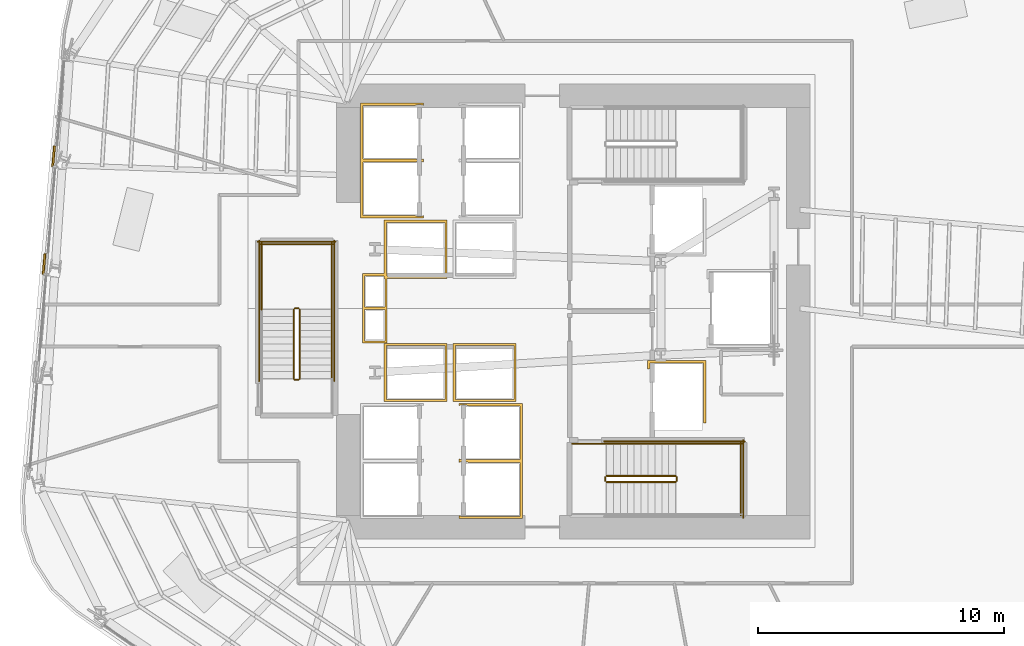
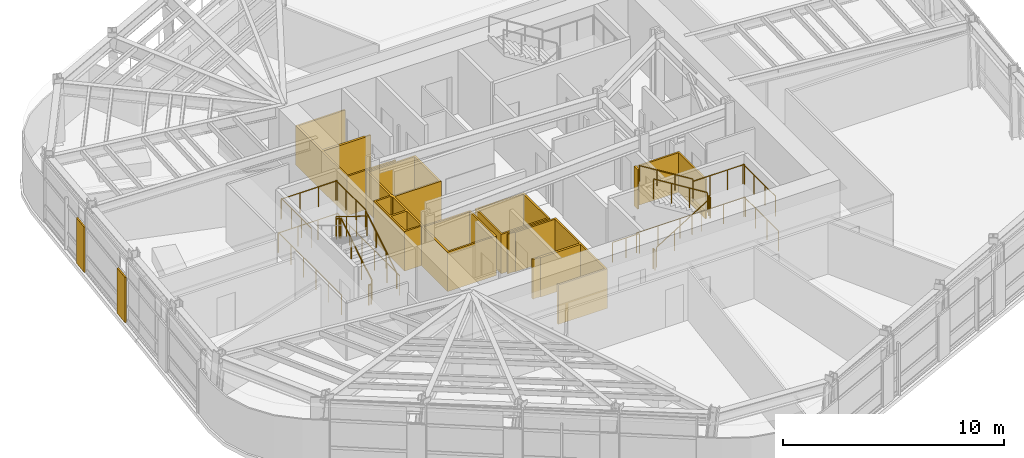
# One storey, part 13 of 19: 21 railings, 8 coverings.
"""IFC4 building model written with IfcOpenShell, lengths in metres."""

from ifc_helpers import new_model, si_unit, direction, frame, origin, origin_2d, place, context, subcontext, project, spatial, polyline, circle, outline, extrude, material, layer, layer_set, type_object, element, save


model = new_model("IFC4")

# Units and contexts
model_context = context("Model", 3, precision=1e-05, world=origin(), true_north=direction((0.0, 1.0)))
body_context = subcontext(model_context, "Body", "Model", "MODEL_VIEW")
ifc_project = project(units=[si_unit("LENGTHUNIT", "METRE"), si_unit("AREAUNIT", "SQUARE_METRE"), si_unit("VOLUMEUNIT", "CUBIC_METRE"), si_unit("PLANEANGLEUNIT", "RADIAN"), si_unit("MASSUNIT", "GRAM", prefix="KILO")], contexts=[model_context])

# Site, building, storey
site_placement = place(None, origin())
site = spatial("IfcSite", under=ifc_project, at=site_placement, CompositionType="ELEMENT")
building_placement = place(site_placement, origin())
building = spatial("IfcBuilding", under=site, at=building_placement, Name="Valkerne Bourse Tower", CompositionType="ELEMENT")
storey_placement = place(building_placement, frame((0.0, 0.0, 131.39990234375)))
storey = spatial("IfcBuildingStorey", under=building, at=storey_placement, Name="L33", CompositionType="ELEMENT", Elevation=131.39990234375)

# Coverings
ifc_material_1 = material(Name="Bronze Anodised Aluminium AA 6063-T6", Category="aluminium")
ifc_layer_1 = layer(ifc_material_1, 0.06005859375)
ifc_layer_set_1 = layer_set([ifc_layer_1], Name="Bronze Anodised Aluminium AA 6063-T6")
covering_type_1 = type_object("IfcCoveringType", Name="COV-CRN-ALUM", PredefinedType="CLADDING", material=ifc_layer_set_1)
covering_1_placement = place(storey_placement, origin())
element("IfcCovering", 1, at=covering_1_placement, inside=storey, type_object=covering_type_1, Name="L33 Wind-Shaped Corner Aluminium Cladding 19", PredefinedType="CLADDING", context=body_context, shape_type="SweptSolid", body=[
    extrude(outline(polyline([(25.32177734375, 29.22509765625), (25.4013671875, 29.218505859375), (25.32763671875, 28.381591796875), (25.247802734375, 28.38818359375), (25.32177734375, 29.22509765625)])), origin(), (0.0, 0.0, 1.0), 2.5),
])
covering_2_placement = place(storey_placement, origin())
element("IfcCovering", 2, at=covering_2_placement, inside=storey, type_object=covering_type_1, Name="L33 Wind-Shaped Corner Aluminium Cladding 20", PredefinedType="CLADDING", context=body_context, shape_type="SweptSolid", body=[
    extrude(outline(polyline([(25.70703125, 33.591064453125), (25.786865234375, 33.58447265625), (25.712890625, 32.747802734375), (25.63330078125, 32.75439453125), (25.70703125, 33.591064453125)])), origin(), (0.0, 0.0, 1.0), 2.5),
])
ifc_material_2 = material(Name="Gypsum Shaftwall Liner Board", Category="gypsum")
ifc_layer_2 = layer(ifc_material_2, 0.080078125)
ifc_layer_set_2 = layer_set([ifc_layer_2], Name="Gypsum Shaftwall Liner Board")
covering_type_2 = type_object("IfcCoveringType", Name="COV-SHF-CLAD", PredefinedType="CLADDING", material=ifc_layer_set_2)
covering_3_placement = place(storey_placement, origin())
element("IfcCovering", 3, at=covering_3_placement, inside=storey, type_object=covering_type_2, Name="L33 Hoistway & Riser Shaftwall Liner 02", PredefinedType="CLADDING", context=body_context, shape_type="SweptSolid", body=[
    extrude(outline(polyline([(41.679931640625, 23.219970703125), (39.1201171875, 23.219970703125), (39.1201171875, 25.580078125), (41.679931640625, 25.580078125), (41.679931640625, 23.219970703125)]), holes=[polyline([(39.2099609375, 25.489990234375), (39.2099609375, 23.31005859375), (41.590087890625, 23.31005859375), (41.590087890625, 25.489990234375), (39.2099609375, 25.489990234375)])]), origin(), (0.0, 0.0, 1.0), 2.18017578125),
])
covering_4_placement = place(storey_placement, origin())
element("IfcCovering", 4, at=covering_4_placement, inside=storey, type_object=covering_type_2, Name="L33 Hoistway & Riser Shaftwall Liner 03", PredefinedType="CLADDING", context=body_context, shape_type="SweptSolid", body=[
    extrude(outline(polyline([(44.47998046875, 23.219970703125), (41.919921875, 23.219970703125), (41.919921875, 25.580078125), (44.47998046875, 25.580078125), (44.47998046875, 23.219970703125)]), holes=[polyline([(42.010009765625, 25.489990234375), (42.010009765625, 23.31005859375), (44.389892578125, 23.31005859375), (44.389892578125, 25.489990234375), (42.010009765625, 25.489990234375)])]), origin(), (0.0, 0.0, 1.0), 2.18017578125),
])
covering_5_placement = place(storey_placement, origin())
element("IfcCovering", 5, at=covering_5_placement, inside=storey, type_object=covering_type_2, Name="L33 Hoistway & Riser Shaftwall Liner 04", PredefinedType="CLADDING", context=body_context, shape_type="SweptSolid", body=[
    extrude(outline(polyline([(38.239990234375, 28.409912109375), (39.1201171875, 28.409912109375), (39.1201171875, 30.580078125), (41.679931640625, 30.580078125), (41.679931640625, 28.219970703125), (39.239990234375, 28.219970703125), (39.239990234375, 27.0400390625), (39.239990234375, 26.9599609375), (39.239990234375, 25.590087890625), (38.239990234375, 25.590087890625), (38.239990234375, 26.9599609375), (38.239990234375, 27.0400390625), (38.239990234375, 28.409912109375)]), holes=[polyline([(39.2099609375, 30.489990234375), (39.2099609375, 28.409912109375), (39.239990234375, 28.409912109375), (39.239990234375, 28.31005859375), (41.590087890625, 28.31005859375), (41.590087890625, 30.489990234375), (39.2099609375, 30.489990234375)]), polyline([(38.330078125, 26.949951171875), (38.330078125, 25.679931640625), (39.14990234375, 25.679931640625), (39.14990234375, 26.949951171875), (38.330078125, 26.949951171875)]), polyline([(39.1201171875, 28.219970703125), (39.1201171875, 28.320068359375), (38.330078125, 28.320068359375), (38.330078125, 27.050048828125), (39.14990234375, 27.050048828125), (39.14990234375, 28.219970703125), (39.1201171875, 28.219970703125)])]), origin(), (0.0, 0.0, 1.0), 2.18017578125),
])
covering_6_placement = place(storey_placement, origin())
element("IfcCovering", 6, at=covering_6_placement, inside=storey, type_object=covering_type_2, Name="L33 Hoistway & Riser Shaftwall Liner 05", PredefinedType="CLADDING", context=body_context, shape_type="SweptSolid", body=[
    extrude(outline(polyline([(38.169921875, 35.330078125), (40.72998046875, 35.330078125), (40.72998046875, 35.232177734375), (40.72216796875, 35.235595703125), (40.6806640625, 35.25048828125), (40.6376953125, 35.261474609375), (40.593994140625, 35.267822265625), (40.550048828125, 35.27001953125), (40.505859375, 35.267822265625), (40.462158203125, 35.261474609375), (40.41943359375, 35.25048828125), (40.3896484375, 35.239990234375), (38.260009765625, 35.239990234375), (38.260009765625, 33.06005859375), (40.3896484375, 33.06005859375), (40.41943359375, 33.04931640625), (40.462158203125, 33.03857421875), (40.505859375, 33.0322265625), (40.550048828125, 33.030029296875), (40.593994140625, 33.0322265625), (40.6376953125, 33.03857421875), (40.6806640625, 33.04931640625), (40.72216796875, 33.064208984375), (40.72998046875, 33.06787109375), (40.72998046875, 33.030029296875), (40.72998046875, 32.969970703125), (40.72998046875, 32.93212890625), (40.72216796875, 32.935791015625), (40.6806640625, 32.95068359375), (40.6376953125, 32.96142578125), (40.593994140625, 32.9677734375), (40.550048828125, 32.969970703125), (40.505859375, 32.9677734375), (40.462158203125, 32.96142578125), (40.41943359375, 32.95068359375), (40.3896484375, 32.93994140625), (38.260009765625, 32.93994140625), (38.260009765625, 30.760009765625), (40.3896484375, 30.760009765625), (40.41943359375, 30.74951171875), (40.462158203125, 30.738525390625), (40.505859375, 30.732177734375), (40.550048828125, 30.72998046875), (40.593994140625, 30.732177734375), (40.6376953125, 30.738525390625), (40.6806640625, 30.74951171875), (40.72216796875, 30.764404296875), (40.72998046875, 30.767822265625), (40.72998046875, 30.669921875), (38.169921875, 30.669921875), (38.169921875, 32.969970703125), (38.169921875, 33.030029296875), (38.169921875, 35.330078125)])), origin(), (0.0, 0.0, 1.0), 2.18017578125),
])
covering_7_placement = place(storey_placement, origin())
element("IfcCovering", 7, at=covering_7_placement, inside=storey, type_object=covering_type_2, Name="L33 Hoistway & Riser Shaftwall Liner 06", PredefinedType="CLADDING", context=body_context, shape_type="SweptSolid", body=[
    extrude(outline(polyline([(42.169921875, 20.830078125), (42.169921875, 20.887939453125), (42.177734375, 20.88427734375), (42.219482421875, 20.869384765625), (42.26220703125, 20.858642578125), (42.305908203125, 20.852294921875), (42.35009765625, 20.85009765625), (42.39404296875, 20.852294921875), (42.437744140625, 20.858642578125), (42.443115234375, 20.860107421875), (44.639892578125, 20.860107421875), (44.639892578125, 23.0400390625), (42.555419921875, 23.0400390625), (42.522216796875, 23.0556640625), (42.480712890625, 23.070556640625), (42.437744140625, 23.081298828125), (42.39404296875, 23.087890625), (42.35009765625, 23.090087890625), (42.305908203125, 23.087890625), (42.26220703125, 23.081298828125), (42.219482421875, 23.070556640625), (42.177734375, 23.0556640625), (42.169921875, 23.052001953125), (42.169921875, 23.1298828125), (44.72998046875, 23.1298828125), (44.72998046875, 20.830078125), (44.72998046875, 20.77001953125), (44.72998046875, 18.469970703125), (42.169921875, 18.469970703125), (42.169921875, 18.587890625), (42.177734375, 18.584228515625), (42.219482421875, 18.5693359375), (42.26220703125, 18.55859375), (42.305908203125, 18.55224609375), (42.35009765625, 18.550048828125), (42.39404296875, 18.55224609375), (42.437744140625, 18.55859375), (42.443115234375, 18.56005859375), (44.639892578125, 18.56005859375), (44.639892578125, 20.739990234375), (42.555419921875, 20.739990234375), (42.522216796875, 20.755615234375), (42.480712890625, 20.7705078125), (42.437744140625, 20.781494140625), (42.39404296875, 20.787841796875), (42.35009765625, 20.7900390625), (42.305908203125, 20.787841796875), (42.26220703125, 20.781494140625), (42.219482421875, 20.7705078125), (42.177734375, 20.755615234375), (42.169921875, 20.752197265625), (42.169921875, 20.77001953125), (42.169921875, 20.830078125)])), origin(), (0.0, 0.0, 1.0), 2.18017578125),
])
covering_8_placement = place(storey_placement, origin())
element("IfcCovering", 8, at=covering_8_placement, inside=storey, type_object=covering_type_2, Name="L33 Hoistway & Riser Shaftwall Liner 07", PredefinedType="CLADDING", context=body_context, shape_type="SweptSolid", body=[
    extrude(outline(polyline([(52.179931640625, 22.35009765625), (52.090087890625, 22.35009765625), (52.090087890625, 24.7900390625), (49.909912109375, 24.7900390625), (49.909912109375, 24.560791015625), (49.869384765625, 24.550537109375), (49.827880859375, 24.53564453125), (49.820068359375, 24.531982421875), (49.820068359375, 24.8798828125), (52.179931640625, 24.8798828125), (52.179931640625, 22.35009765625)])), origin(), (0.0, 0.0, 1.0), 2.18017578125),
])

# Railings
ifc_material_3 = material(Name="Galvanised Painted Steel", Category="steel")
railing_type_1 = type_object("IfcRailingType", Name="RLG-ST-GUARD-1120", PredefinedType="GUARDRAIL", material=ifc_material_3)
railing_1_placement = place(storey_placement, frame((48.14990234375, 19.949951171875, 0.1728515625)))
element("IfcRailing", 9, at=railing_1_placement, inside=storey, type_object=railing_type_1, Name="L33 ST-1 stair guard 1", PredefinedType="GUARDRAIL", context=body_context, shape_type="SweptSolid", body=[
    extrude(circle(Radius=0.02392578125, at=origin_2d()), frame((0.0, 0.0, 1.09619140625), z_axis=(0.851089632645, 0.0, 0.525020415988), x_axis=(0.0, 1.0, 0.0)), (0.0, 0.0, 1.0), 3.2900390625),
    extrude(circle(Radius=0.02099609375, at=origin_2d()), origin(), (0.0, 0.0, 1.0), 1.072021484375),
    extrude(circle(Radius=0.02099609375, at=origin_2d()), frame((0.933349609375, 0.0, 0.57568359375)), (0.0, 0.0, 1.0), 1.072021484375),
    extrude(circle(Radius=0.02099609375, at=origin_2d()), frame((1.86669921875, 0.0, 1.151611328125)), (0.0, 0.0, 1.0), 1.072021484375),
    extrude(circle(Radius=0.02099609375, at=origin_2d()), frame((2.800048828125, 0.0, 1.727294921875)), (0.0, 0.0, 1.0), 1.072021484375),
])
railing_2_placement = place(storey_placement, frame((51.0, 20.0, 1.900146484375)))
element("IfcRailing", 10, at=railing_2_placement, inside=storey, type_object=railing_type_1, Name="L33 ST-1 stair guard 2", PredefinedType="GUARDRAIL", context=body_context, shape_type="SweptSolid", body=[
    extrude(circle(Radius=0.02392578125, at=origin_2d()), frame((0.0, 0.0, 1.09619140625), z_axis=(0.0, 1.0, 0.0), x_axis=(-1.0, 0.0, 0.0)), (0.0, 0.0, 1.0), 0.14990234375),
    extrude(circle(Radius=0.02099609375, at=origin_2d()), origin(), (0.0, 0.0, 1.0), 1.072021484375),
    extrude(circle(Radius=0.02099609375, at=origin_2d()), frame((0.0, 0.14990234375, 0.0)), (0.0, 0.0, 1.0), 1.072021484375),
])
railing_3_placement = place(storey_placement, frame((50.949951171875, 21.5, 1.900146484375)))
element("IfcRailing", 11, at=railing_3_placement, inside=storey, type_object=railing_type_1, Name="L33 ST-1 stair guard 4", PredefinedType="GUARDRAIL", context=body_context, shape_type="SweptSolid", body=[
    extrude(circle(Radius=0.02392578125, at=origin_2d()), frame((0.0, 0.0, 1.09619140625), z_axis=(1.0, 0.0, 0.0), x_axis=(0.0, 1.0, 0.0)), (0.0, 0.0, 1.0), 2.699951171875),
    extrude(circle(Radius=0.02099609375, at=origin_2d()), origin(), (0.0, 0.0, 1.0), 1.072021484375),
    extrude(circle(Radius=0.02099609375, at=origin_2d()), frame((0.89990234375, 0.0, 0.0)), (0.0, 0.0, 1.0), 1.072021484375),
    extrude(circle(Radius=0.02099609375, at=origin_2d()), frame((1.800048828125, 0.0, 0.0)), (0.0, 0.0, 1.0), 1.072021484375),
    extrude(circle(Radius=0.02099609375, at=origin_2d()), frame((2.699951171875, 0.0, 0.0)), (0.0, 0.0, 1.0), 1.072021484375),
])
railing_4_placement = place(storey_placement, frame((53.60009765625, 18.60009765625, 1.900146484375)))
element("IfcRailing", 12, at=railing_4_placement, inside=storey, type_object=railing_type_1, Name="L33 ST-1 stair guard 5", PredefinedType="GUARDRAIL", context=body_context, shape_type="SweptSolid", body=[
    extrude(circle(Radius=0.02392578125, at=origin_2d()), frame((0.0, 0.0, 1.09619140625), z_axis=(0.0, 1.0, 0.0), x_axis=(-1.0, 0.0, 0.0)), (0.0, 0.0, 1.0), 2.949951171875),
    extrude(circle(Radius=0.02099609375, at=origin_2d()), origin(), (0.0, 0.0, 1.0), 1.072021484375),
    extrude(circle(Radius=0.02099609375, at=origin_2d()), frame((0.0, 0.9833984375, 0.0)), (0.0, 0.0, 1.0), 1.072021484375),
    extrude(circle(Radius=0.02099609375, at=origin_2d()), frame((0.0, 1.966552734375, 0.0)), (0.0, 0.0, 1.0), 1.072021484375),
    extrude(circle(Radius=0.02099609375, at=origin_2d()), frame((0.0, 2.949951171875, 0.0)), (0.0, 0.0, 1.0), 1.072021484375),
])
railing_5_placement = place(storey_placement, frame((50.949951171875, 20.199951171875, 2.07275390625)))
element("IfcRailing", 13, at=railing_5_placement, inside=storey, type_object=railing_type_1, Name="L33 ST-1 stair guard 6", PredefinedType="GUARDRAIL", context=body_context, shape_type="SweptSolid", body=[
    extrude(circle(Radius=0.02392578125, at=origin_2d()), frame((0.0, 0.0, 1.09619140625), z_axis=(-0.851089632645, 0.0, 0.525020415988), x_axis=(0.0, -1.0, 0.0)), (0.0, 0.0, 1.0), 3.2900390625),
    extrude(circle(Radius=0.02099609375, at=origin_2d()), origin(), (0.0, 0.0, 1.0), 1.072021484375),
    extrude(circle(Radius=0.02099609375, at=origin_2d()), frame((-0.933349609375, 0.0, 0.57568359375)), (0.0, 0.0, 1.0), 1.072021484375),
    extrude(circle(Radius=0.02099609375, at=origin_2d()), frame((-1.86669921875, 0.0, 1.151611328125)), (0.0, 0.0, 1.0), 1.072021484375),
    extrude(circle(Radius=0.02099609375, at=origin_2d()), frame((-2.800048828125, 0.0, 1.727294921875)), (0.0, 0.0, 1.0), 1.072021484375),
])
railing_6_placement = place(storey_placement, frame((48.10009765625, 20.0, 0.0)))
element("IfcRailing", 14, at=railing_6_placement, inside=storey, type_object=railing_type_1, Name="L33 ST-1 stair guard 7", PredefinedType="GUARDRAIL", context=body_context, shape_type="SweptSolid", body=[
    extrude(circle(Radius=0.02392578125, at=origin_2d()), frame((0.0, 0.0, 1.09619140625), z_axis=(0.0, 1.0, 0.0), x_axis=(-1.0, 0.0, 0.0)), (0.0, 0.0, 1.0), 0.14990234375),
    extrude(circle(Radius=0.02099609375, at=origin_2d()), origin(), (0.0, 0.0, 1.0), 1.072021484375),
    extrude(circle(Radius=0.02099609375, at=origin_2d()), frame((0.0, 0.14990234375, 0.0)), (0.0, 0.0, 1.0), 1.072021484375),
])
railing_7_placement = place(storey_placement, frame((46.75, 21.5, 0.0)))
element("IfcRailing", 15, at=railing_7_placement, inside=storey, type_object=railing_type_1, Name="L33 ST-1 stair guard 9", PredefinedType="GUARDRAIL", context=body_context, shape_type="SweptSolid", body=[
    extrude(circle(Radius=0.02392578125, at=origin_2d()), frame((0.0, 0.0, 1.09619140625), z_axis=(1.0, 0.0, 0.0), x_axis=(0.0, 1.0, 0.0)), (0.0, 0.0, 1.0), 1.39990234375),
    extrude(circle(Radius=0.02099609375, at=origin_2d()), origin(), (0.0, 0.0, 1.0), 1.072021484375),
    extrude(circle(Radius=0.02099609375, at=origin_2d()), frame((0.699951171875, 0.0, 0.0)), (0.0, 0.0, 1.0), 1.072021484375),
    extrude(circle(Radius=0.02099609375, at=origin_2d()), frame((1.39990234375, 0.0, 0.0)), (0.0, 0.0, 1.0), 1.072021484375),
])
railing_8_placement = place(storey_placement, frame((48.050048828125, 21.60009765625, 0.0)))
element("IfcRailing", 16, at=railing_8_placement, inside=storey, type_object=railing_type_1, Name="L33 ST-1 stair guard 11", PredefinedType="GUARDRAIL", context=body_context, shape_type="SweptSolid", body=[
    extrude(circle(Radius=0.02392578125, at=origin_2d()), frame((0.0, 0.0, 1.09619140625), z_axis=(1.0, 0.0, 0.0), x_axis=(0.0, 1.0, 0.0)), (0.0, 0.0, 1.0), 5.699951171875),
    extrude(circle(Radius=0.02099609375, at=origin_2d()), origin(), (0.0, 0.0, 1.0), 1.072021484375),
    extrude(circle(Radius=0.02099609375, at=origin_2d()), frame((1.139892578125, 0.0, 0.0)), (0.0, 0.0, 1.0), 1.072021484375),
    extrude(circle(Radius=0.02099609375, at=origin_2d()), frame((2.280029296875, 0.0, 0.0)), (0.0, 0.0, 1.0), 1.072021484375),
    extrude(circle(Radius=0.02099609375, at=origin_2d()), frame((3.419921875, 0.0, 0.0)), (0.0, 0.0, 1.0), 1.072021484375),
    extrude(circle(Radius=0.02099609375, at=origin_2d()), frame((4.56005859375, 0.0, 0.0)), (0.0, 0.0, 1.0), 1.072021484375),
    extrude(circle(Radius=0.02099609375, at=origin_2d()), frame((5.699951171875, 0.0, 0.0)), (0.0, 0.0, 1.0), 1.072021484375),
])
railing_9_placement = place(storey_placement, frame((53.699951171875, 18.5, 0.0)))
element("IfcRailing", 17, at=railing_9_placement, inside=storey, type_object=railing_type_1, Name="L33 ST-1 stair guard 12", PredefinedType="GUARDRAIL", context=body_context, shape_type="SweptSolid", body=[
    extrude(circle(Radius=0.02392578125, at=origin_2d()), frame((0.0, 0.0, 1.09619140625), z_axis=(0.0, 1.0, 0.0), x_axis=(-1.0, 0.0, 0.0)), (0.0, 0.0, 1.0), 3.14990234375),
    extrude(circle(Radius=0.02099609375, at=origin_2d()), origin(), (0.0, 0.0, 1.0), 1.072021484375),
    extrude(circle(Radius=0.02099609375, at=origin_2d()), frame((0.0, 1.050048828125, 0.0)), (0.0, 0.0, 1.0), 1.072021484375),
    extrude(circle(Radius=0.02099609375, at=origin_2d()), frame((0.0, 2.099853515625, 0.0)), (0.0, 0.0, 1.0), 1.072021484375),
    extrude(circle(Radius=0.02099609375, at=origin_2d()), frame((0.0, 3.14990234375, 0.0)), (0.0, 0.0, 1.0), 1.072021484375),
])
railing_10_placement = place(storey_placement, frame((35.699951171875, 24.14990234375, 0.1728515625)))
element("IfcRailing", 18, at=railing_10_placement, inside=storey, type_object=railing_type_1, Name="L33 ST-3 stair guard 1", PredefinedType="GUARDRAIL", context=body_context, shape_type="SweptSolid", body=[
    extrude(circle(Radius=0.02392578125, at=origin_2d()), frame((0.0, 0.0, 1.09619140625), z_axis=(0.0, 0.851089632645, 0.525020415988), x_axis=(-1.0, 0.0, 0.0)), (0.0, 0.0, 1.0), 3.2900390625),
    extrude(circle(Radius=0.02099609375, at=origin_2d()), origin(), (0.0, 0.0, 1.0), 1.072021484375),
    extrude(circle(Radius=0.02099609375, at=origin_2d()), frame((0.0, 0.933349609375, 0.57568359375)), (0.0, 0.0, 1.0), 1.072021484375),
    extrude(circle(Radius=0.02099609375, at=origin_2d()), frame((0.0, 1.86669921875, 1.151611328125)), (0.0, 0.0, 1.0), 1.072021484375),
    extrude(circle(Radius=0.02099609375, at=origin_2d()), frame((0.0, 2.800048828125, 1.727294921875)), (0.0, 0.0, 1.0), 1.072021484375),
])
railing_11_placement = place(storey_placement, frame((35.64990234375, 27.0, 1.900146484375)))
element("IfcRailing", 19, at=railing_11_placement, inside=storey, type_object=railing_type_1, Name="L33 ST-3 stair guard 2", PredefinedType="GUARDRAIL", context=body_context, shape_type="SweptSolid", body=[
    extrude(circle(Radius=0.02392578125, at=origin_2d()), frame((0.0, 0.0, 1.09619140625), z_axis=(-1.0, 0.0, 0.0), x_axis=(0.0, -1.0, 0.0)), (0.0, 0.0, 1.0), 0.14990234375),
    extrude(circle(Radius=0.02099609375, at=origin_2d()), origin(), (0.0, 0.0, 1.0), 1.072021484375),
    extrude(circle(Radius=0.02099609375, at=origin_2d()), frame((-0.14990234375, 0.0, 0.0)), (0.0, 0.0, 1.0), 1.072021484375),
])
for number, where, name in (
    (20, (37.0, 26.949951171875, 1.900146484375), "L33 ST-3 stair guard 3"),
    (21, (34.14990234375, 26.949951171875, 1.900146484375), "L33 ST-3 stair guard 4"),
):
    element("IfcRailing", number, at=place(storey_placement, frame(where)), inside=storey, type_object=railing_type_1, Name=name, PredefinedType="GUARDRAIL", context=body_context, shape_type="SweptSolid", body=[
        extrude(circle(Radius=0.02392578125, at=origin_2d()), frame((0.0, 0.0, 1.09619140625), z_axis=(0.0, 1.0, 0.0), x_axis=(-1.0, 0.0, 0.0)), (0.0, 0.0, 1.0), 2.699951171875),
        extrude(circle(Radius=0.02099609375, at=origin_2d()), origin(), (0.0, 0.0, 1.0), 1.072021484375),
        extrude(circle(Radius=0.02099609375, at=origin_2d()), frame((0.0, 0.89990234375, 0.0)), (0.0, 0.0, 1.0), 1.072021484375),
        extrude(circle(Radius=0.02099609375, at=origin_2d()), frame((0.0, 1.800048828125, 0.0)), (0.0, 0.0, 1.0), 1.072021484375),
        extrude(circle(Radius=0.02099609375, at=origin_2d()), frame((0.0, 2.699951171875, 0.0)), (0.0, 0.0, 1.0), 1.072021484375),
    ])
railing_12_placement = place(storey_placement, frame((37.050048828125, 29.60009765625, 1.900146484375)))
element("IfcRailing", 22, at=railing_12_placement, inside=storey, type_object=railing_type_1, Name="L33 ST-3 stair guard 5", PredefinedType="GUARDRAIL", context=body_context, shape_type="SweptSolid", body=[
    extrude(circle(Radius=0.02392578125, at=origin_2d()), frame((0.0, 0.0, 1.09619140625), z_axis=(-1.0, 0.0, 0.0), x_axis=(0.0, -1.0, 0.0)), (0.0, 0.0, 1.0), 2.949951171875),
    extrude(circle(Radius=0.02099609375, at=origin_2d()), origin(), (0.0, 0.0, 1.0), 1.072021484375),
    extrude(circle(Radius=0.02099609375, at=origin_2d()), frame((-0.9833984375, 0.0, 0.0)), (0.0, 0.0, 1.0), 1.072021484375),
    extrude(circle(Radius=0.02099609375, at=origin_2d()), frame((-1.966552734375, 0.0, 0.0)), (0.0, 0.0, 1.0), 1.072021484375),
    extrude(circle(Radius=0.02099609375, at=origin_2d()), frame((-2.949951171875, 0.0, 0.0)), (0.0, 0.0, 1.0), 1.072021484375),
])
railing_13_placement = place(storey_placement, frame((35.449951171875, 26.949951171875, 2.07275390625)))
element("IfcRailing", 23, at=railing_13_placement, inside=storey, type_object=railing_type_1, Name="L33 ST-3 stair guard 6", PredefinedType="GUARDRAIL", context=body_context, shape_type="SweptSolid", body=[
    extrude(circle(Radius=0.02392578125, at=origin_2d()), frame((0.0, 0.0, 1.09619140625), z_axis=(0.0, -0.851089632645, 0.525020415988), x_axis=(1.0, 0.0, 0.0)), (0.0, 0.0, 1.0), 3.2900390625),
    extrude(circle(Radius=0.02099609375, at=origin_2d()), origin(), (0.0, 0.0, 1.0), 1.072021484375),
    extrude(circle(Radius=0.02099609375, at=origin_2d()), frame((0.0, -0.933349609375, 0.57568359375)), (0.0, 0.0, 1.0), 1.072021484375),
    extrude(circle(Radius=0.02099609375, at=origin_2d()), frame((0.0, -1.86669921875, 1.151611328125)), (0.0, 0.0, 1.0), 1.072021484375),
    extrude(circle(Radius=0.02099609375, at=origin_2d()), frame((0.0, -2.800048828125, 1.727294921875)), (0.0, 0.0, 1.0), 1.072021484375),
])
railing_14_placement = place(storey_placement, frame((35.64990234375, 24.10009765625, 0.0)))
element("IfcRailing", 24, at=railing_14_placement, inside=storey, type_object=railing_type_1, Name="L33 ST-3 stair guard 7", PredefinedType="GUARDRAIL", context=body_context, shape_type="SweptSolid", body=[
    extrude(circle(Radius=0.02392578125, at=origin_2d()), frame((0.0, 0.0, 1.09619140625), z_axis=(-1.0, 0.0, 0.0), x_axis=(0.0, -1.0, 0.0)), (0.0, 0.0, 1.0), 0.14990234375),
    extrude(circle(Radius=0.02099609375, at=origin_2d()), origin(), (0.0, 0.0, 1.0), 1.072021484375),
    extrude(circle(Radius=0.02099609375, at=origin_2d()), frame((-0.14990234375, 0.0, 0.0)), (0.0, 0.0, 1.0), 1.072021484375),
])
for number, where, name in (
    (25, (37.10009765625, 24.050048828125, 0.0), "L33 ST-3 stair guard 10"),
    (26, (34.050048828125, 24.050048828125, 0.0), "L33 ST-3 stair guard 11"),
):
    element("IfcRailing", number, at=place(storey_placement, frame(where)), inside=storey, type_object=railing_type_1, Name=name, PredefinedType="GUARDRAIL", context=body_context, shape_type="SweptSolid", body=[
        extrude(circle(Radius=0.02392578125, at=origin_2d()), frame((0.0, 0.0, 1.09619140625), z_axis=(0.0, 1.0, 0.0), x_axis=(-1.0, 0.0, 0.0)), (0.0, 0.0, 1.0), 5.699951171875),
        extrude(circle(Radius=0.02099609375, at=origin_2d()), origin(), (0.0, 0.0, 1.0), 1.072021484375),
        extrude(circle(Radius=0.02099609375, at=origin_2d()), frame((0.0, 1.139892578125, 0.0)), (0.0, 0.0, 1.0), 1.072021484375),
        extrude(circle(Radius=0.02099609375, at=origin_2d()), frame((0.0, 2.280029296875, 0.0)), (0.0, 0.0, 1.0), 1.072021484375),
        extrude(circle(Radius=0.02099609375, at=origin_2d()), frame((0.0, 3.419921875, 0.0)), (0.0, 0.0, 1.0), 1.072021484375),
        extrude(circle(Radius=0.02099609375, at=origin_2d()), frame((0.0, 4.56005859375, 0.0)), (0.0, 0.0, 1.0), 1.072021484375),
        extrude(circle(Radius=0.02099609375, at=origin_2d()), frame((0.0, 5.699951171875, 0.0)), (0.0, 0.0, 1.0), 1.072021484375),
    ])
railing_15_placement = place(storey_placement, frame((37.14990234375, 29.699951171875, 0.0)))
element("IfcRailing", 27, at=railing_15_placement, inside=storey, type_object=railing_type_1, Name="L33 ST-3 stair guard 12", PredefinedType="GUARDRAIL", context=body_context, shape_type="SweptSolid", body=[
    extrude(circle(Radius=0.02392578125, at=origin_2d()), frame((0.0, 0.0, 1.09619140625), z_axis=(-1.0, 0.0, 0.0), x_axis=(0.0, -1.0, 0.0)), (0.0, 0.0, 1.0), 3.14990234375),
    extrude(circle(Radius=0.02099609375, at=origin_2d()), origin(), (0.0, 0.0, 1.0), 1.072021484375),
    extrude(circle(Radius=0.02099609375, at=origin_2d()), frame((-1.050048828125, 0.0, 0.0)), (0.0, 0.0, 1.0), 1.072021484375),
    extrude(circle(Radius=0.02099609375, at=origin_2d()), frame((-2.099853515625, 0.0, 0.0)), (0.0, 0.0, 1.0), 1.072021484375),
    extrude(circle(Radius=0.02099609375, at=origin_2d()), frame((-3.14990234375, 0.0, 0.0)), (0.0, 0.0, 1.0), 1.072021484375),
])
ifc_material_4 = material(Name="Stainless Steel AISI 316", Category="steel")
railing_type_2 = type_object("IfcRailingType", Name="RLG-ST-HANDRAIL-900", PredefinedType="HANDRAIL", material=ifc_material_4)
railing_16_placement = place(storey_placement, frame((50.949951171875, 21.5, 2.24560546875)))
element("IfcRailing", 28, at=railing_16_placement, inside=storey, type_object=railing_type_2, Name="L33 ST-1 stair handrail 2", PredefinedType="HANDRAIL", context=body_context, shape_type="SweptSolid", body=[
    extrude(circle(Radius=0.02392578125, at=origin_2d()), frame((0.0, 0.0, 0.8759765625), z_axis=(-0.851089632645, 0.0, 0.525020415988), x_axis=(0.0, -1.0, 0.0)), (0.0, 0.0, 1.0), 3.2900390625),
    extrude(circle(Radius=0.02099609375, at=origin_2d()), origin(), (0.0, 0.0, 1.0), 0.851806640625),
    extrude(circle(Radius=0.02099609375, at=origin_2d()), frame((-0.933349609375, 0.0, 0.57568359375)), (0.0, 0.0, 1.0), 0.851806640625),
    extrude(circle(Radius=0.02099609375, at=origin_2d()), frame((-1.86669921875, 0.0, 1.151611328125)), (0.0, 0.0, 1.0), 0.851806640625),
    extrude(circle(Radius=0.02099609375, at=origin_2d()), frame((-2.800048828125, 0.0, 1.727294921875)), (0.0, 0.0, 1.0), 0.851806640625),
])
railing_17_placement = place(storey_placement, frame((37.0, 24.14990234375, 0.345458984375)))
element("IfcRailing", 29, at=railing_17_placement, inside=storey, type_object=railing_type_2, Name="L33 ST-3 stair handrail 1", PredefinedType="HANDRAIL", context=body_context, shape_type="SweptSolid", body=[
    extrude(circle(Radius=0.02392578125, at=origin_2d()), frame((0.0, 0.0, 0.8759765625), z_axis=(0.0, 0.851089632645, 0.525020415988), x_axis=(-1.0, 0.0, 0.0)), (0.0, 0.0, 1.0), 3.2900390625),
    extrude(circle(Radius=0.02099609375, at=origin_2d()), origin(), (0.0, 0.0, 1.0), 0.851806640625),
    extrude(circle(Radius=0.02099609375, at=origin_2d()), frame((0.0, 0.933349609375, 0.57568359375)), (0.0, 0.0, 1.0), 0.851806640625),
    extrude(circle(Radius=0.02099609375, at=origin_2d()), frame((0.0, 1.86669921875, 1.151611328125)), (0.0, 0.0, 1.0), 0.851806640625),
    extrude(circle(Radius=0.02099609375, at=origin_2d()), frame((0.0, 2.800048828125, 1.727294921875)), (0.0, 0.0, 1.0), 0.851806640625),
])

save(model, "model.ifc")
